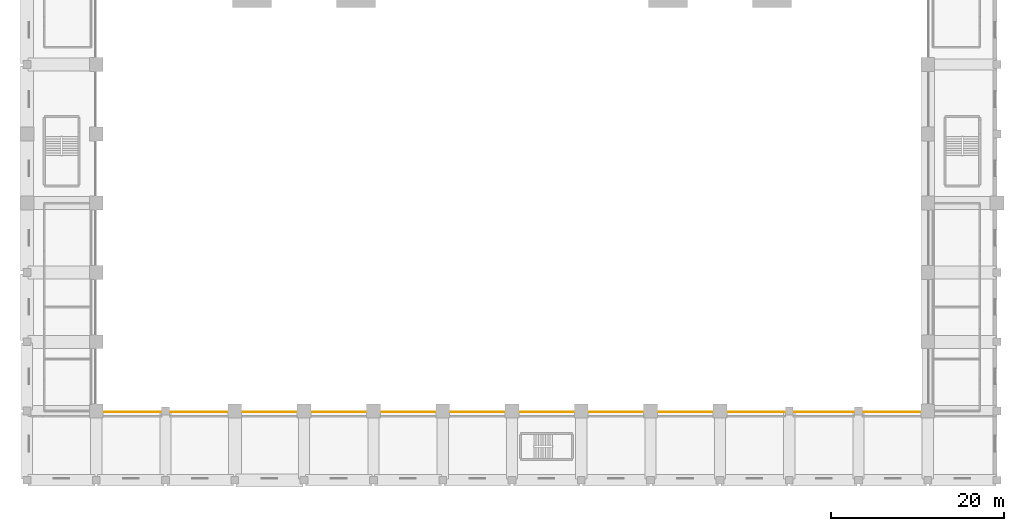
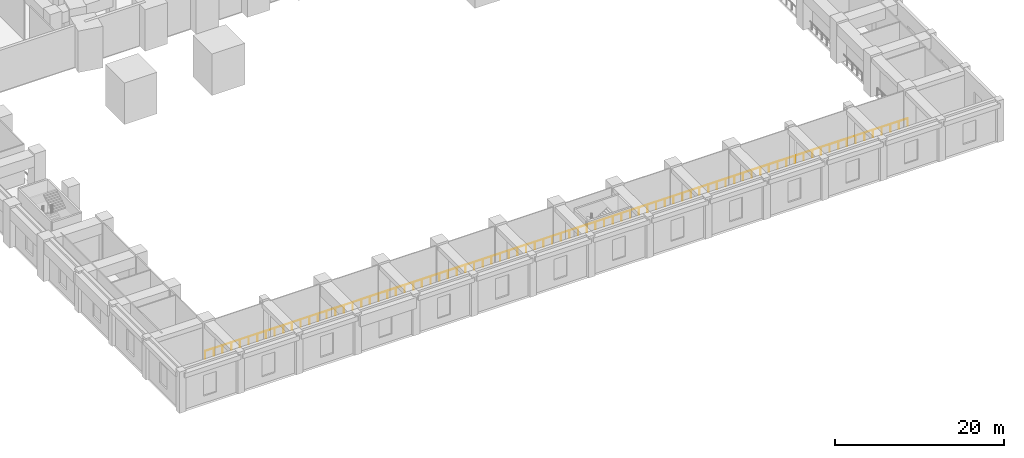
# One storey, part 17 of 25: 1 railing.
"""IFC4 building model written with IfcOpenShell, lengths in metres."""

from ifc_helpers import new_model, si_unit, direction, frame, origin, origin_2d, place, context, subcontext, project, spatial, circle, extrude, material, type_object, element, save


model = new_model("IFC4")

# Units and contexts
model_context = context("Model", 3, precision=1e-05, world=origin(), true_north=direction((0.0, 1.0)))
body_context = subcontext(model_context, "Body", "Model", "MODEL_VIEW")
ifc_project = project(units=[si_unit("LENGTHUNIT", "METRE"), si_unit("AREAUNIT", "SQUARE_METRE"), si_unit("VOLUMEUNIT", "CUBIC_METRE"), si_unit("PLANEANGLEUNIT", "RADIAN"), si_unit("MASSUNIT", "GRAM", prefix="KILO")], contexts=[model_context])

# Site, building, storey
site_placement = place(None, origin())
site = spatial("IfcSite", under=ifc_project, at=site_placement, CompositionType="ELEMENT")
building_placement = place(site_placement, origin())
building = spatial("IfcBuilding", under=site, at=building_placement, Name="Isbrekke Arena Tower", CompositionType="ELEMENT")
storey_placement = place(building_placement, frame((0.0, 0.0, 6.0)))
storey = spatial("IfcBuildingStorey", under=building, at=storey_placement, Name="L01", CompositionType="ELEMENT", Elevation=6.0)

# Railing
ifc_material = material(Name="Laminated glass balustrade, steel handrail", Category="steel")
railing_type = type_object("IfcRailingType", Name="GR1 GUARD 1100 GLASS BALUSTRADE", PredefinedType="BALUSTRADE", material=ifc_material)
railing_placement = place(storey_placement, frame((48.10009765625, -66.10009765625, 0.0)))
element("IfcRailing", 1, at=railing_placement, inside=storey, type_object=railing_type, Name="GR1 arena front guard S L01", PredefinedType="BALUSTRADE", context=body_context, shape_type="SweptSolid", body=[
    extrude(circle(Radius=0.02392578125, at=origin_2d()), frame((0.0, 0.0, 1.076171875), z_axis=(-1.0, 0.0, 0.0), x_axis=(0.0, -1.0, 0.0)), (0.0, 0.0, 1.0), 96.2001953125),
    extrude(circle(Radius=0.02099609375, at=origin_2d()), origin(), (0.0, 0.0, 1.0), 1.052001953125),
    extrude(circle(Radius=0.02099609375, at=origin_2d()), frame((-1.187744140625, 0.0, 0.0)), (0.0, 0.0, 1.0), 1.052001953125),
    extrude(circle(Radius=0.02099609375, at=origin_2d()), frame((-2.375244140625, 0.0, 0.0)), (0.0, 0.0, 1.0), 1.052001953125),
    extrude(circle(Radius=0.02099609375, at=origin_2d()), frame((-3.56298828125, 0.0, 0.0)), (0.0, 0.0, 1.0), 1.052001953125),
    extrude(circle(Radius=0.02099609375, at=origin_2d()), frame((-4.750732421875, 0.0, 0.0)), (0.0, 0.0, 1.0), 1.052001953125),
    extrude(circle(Radius=0.02099609375, at=origin_2d()), frame((-5.938232421875, 0.0, 0.0)), (0.0, 0.0, 1.0), 1.052001953125),
    extrude(circle(Radius=0.02099609375, at=origin_2d()), frame((-7.1259765625, 0.0, 0.0)), (0.0, 0.0, 1.0), 1.052001953125),
    extrude(circle(Radius=0.02099609375, at=origin_2d()), frame((-8.3134765625, 0.0, 0.0)), (0.0, 0.0, 1.0), 1.052001953125),
    extrude(circle(Radius=0.02099609375, at=origin_2d()), frame((-9.501220703125, 0.0, 0.0)), (0.0, 0.0, 1.0), 1.052001953125),
    extrude(circle(Radius=0.02099609375, at=origin_2d()), frame((-10.68896484375, 0.0, 0.0)), (0.0, 0.0, 1.0), 1.052001953125),
    extrude(circle(Radius=0.02099609375, at=origin_2d()), frame((-11.87646484375, 0.0, 0.0)), (0.0, 0.0, 1.0), 1.052001953125),
    extrude(circle(Radius=0.02099609375, at=origin_2d()), frame((-13.064208984375, 0.0, 0.0)), (0.0, 0.0, 1.0), 1.052001953125),
    extrude(circle(Radius=0.02099609375, at=origin_2d()), frame((-14.251953125, 0.0, 0.0)), (0.0, 0.0, 1.0), 1.052001953125),
    extrude(circle(Radius=0.02099609375, at=origin_2d()), frame((-15.439453125, 0.0, 0.0)), (0.0, 0.0, 1.0), 1.052001953125),
    extrude(circle(Radius=0.02099609375, at=origin_2d()), frame((-16.627197265625, 0.0, 0.0)), (0.0, 0.0, 1.0), 1.052001953125),
    extrude(circle(Radius=0.02099609375, at=origin_2d()), frame((-17.81494140625, 0.0, 0.0)), (0.0, 0.0, 1.0), 1.052001953125),
    extrude(circle(Radius=0.02099609375, at=origin_2d()), frame((-19.00244140625, 0.0, 0.0)), (0.0, 0.0, 1.0), 1.052001953125),
    extrude(circle(Radius=0.02099609375, at=origin_2d()), frame((-20.190185546875, 0.0, 0.0)), (0.0, 0.0, 1.0), 1.052001953125),
    extrude(circle(Radius=0.02099609375, at=origin_2d()), frame((-21.3779296875, 0.0, 0.0)), (0.0, 0.0, 1.0), 1.052001953125),
    extrude(circle(Radius=0.02099609375, at=origin_2d()), frame((-22.5654296875, 0.0, 0.0)), (0.0, 0.0, 1.0), 1.052001953125),
    extrude(circle(Radius=0.02099609375, at=origin_2d()), frame((-23.753173828125, 0.0, 0.0)), (0.0, 0.0, 1.0), 1.052001953125),
    extrude(circle(Radius=0.02099609375, at=origin_2d()), frame((-24.940673828125, 0.0, 0.0)), (0.0, 0.0, 1.0), 1.052001953125),
    extrude(circle(Radius=0.02099609375, at=origin_2d()), frame((-26.12841796875, 0.0, 0.0)), (0.0, 0.0, 1.0), 1.052001953125),
    extrude(circle(Radius=0.02099609375, at=origin_2d()), frame((-27.316162109375, 0.0, 0.0)), (0.0, 0.0, 1.0), 1.052001953125),
    extrude(circle(Radius=0.02099609375, at=origin_2d()), frame((-28.503662109375, 0.0, 0.0)), (0.0, 0.0, 1.0), 1.052001953125),
    extrude(circle(Radius=0.02099609375, at=origin_2d()), frame((-29.69140625, 0.0, 0.0)), (0.0, 0.0, 1.0), 1.052001953125),
    extrude(circle(Radius=0.02099609375, at=origin_2d()), frame((-30.879150390625, 0.0, 0.0)), (0.0, 0.0, 1.0), 1.052001953125),
    extrude(circle(Radius=0.02099609375, at=origin_2d()), frame((-32.066650390625, 0.0, 0.0)), (0.0, 0.0, 1.0), 1.052001953125),
    extrude(circle(Radius=0.02099609375, at=origin_2d()), frame((-33.25439453125, 0.0, 0.0)), (0.0, 0.0, 1.0), 1.052001953125),
    extrude(circle(Radius=0.02099609375, at=origin_2d()), frame((-34.442138671875, 0.0, 0.0)), (0.0, 0.0, 1.0), 1.052001953125),
    extrude(circle(Radius=0.02099609375, at=origin_2d()), frame((-35.629638671875, 0.0, 0.0)), (0.0, 0.0, 1.0), 1.052001953125),
    extrude(circle(Radius=0.02099609375, at=origin_2d()), frame((-36.8173828125, 0.0, 0.0)), (0.0, 0.0, 1.0), 1.052001953125),
    extrude(circle(Radius=0.02099609375, at=origin_2d()), frame((-38.005126953125, 0.0, 0.0)), (0.0, 0.0, 1.0), 1.052001953125),
    extrude(circle(Radius=0.02099609375, at=origin_2d()), frame((-39.192626953125, 0.0, 0.0)), (0.0, 0.0, 1.0), 1.052001953125),
    extrude(circle(Radius=0.02099609375, at=origin_2d()), frame((-40.38037109375, 0.0, 0.0)), (0.0, 0.0, 1.0), 1.052001953125),
    extrude(circle(Radius=0.02099609375, at=origin_2d()), frame((-41.56787109375, 0.0, 0.0)), (0.0, 0.0, 1.0), 1.052001953125),
    extrude(circle(Radius=0.02099609375, at=origin_2d()), frame((-42.755615234375, 0.0, 0.0)), (0.0, 0.0, 1.0), 1.052001953125),
    extrude(circle(Radius=0.02099609375, at=origin_2d()), frame((-43.943359375, 0.0, 0.0)), (0.0, 0.0, 1.0), 1.052001953125),
    extrude(circle(Radius=0.02099609375, at=origin_2d()), frame((-45.130859375, 0.0, 0.0)), (0.0, 0.0, 1.0), 1.052001953125),
    extrude(circle(Radius=0.02099609375, at=origin_2d()), frame((-46.318603515625, 0.0, 0.0)), (0.0, 0.0, 1.0), 1.052001953125),
    extrude(circle(Radius=0.02099609375, at=origin_2d()), frame((-47.50634765625, 0.0, 0.0)), (0.0, 0.0, 1.0), 1.052001953125),
    extrude(circle(Radius=0.02099609375, at=origin_2d()), frame((-48.69384765625, 0.0, 0.0)), (0.0, 0.0, 1.0), 1.052001953125),
    extrude(circle(Radius=0.02099609375, at=origin_2d()), frame((-49.881591796875, 0.0, 0.0)), (0.0, 0.0, 1.0), 1.052001953125),
    extrude(circle(Radius=0.02099609375, at=origin_2d()), frame((-51.0693359375, 0.0, 0.0)), (0.0, 0.0, 1.0), 1.052001953125),
    extrude(circle(Radius=0.02099609375, at=origin_2d()), frame((-52.2568359375, 0.0, 0.0)), (0.0, 0.0, 1.0), 1.052001953125),
    extrude(circle(Radius=0.02099609375, at=origin_2d()), frame((-53.444580078125, 0.0, 0.0)), (0.0, 0.0, 1.0), 1.052001953125),
    extrude(circle(Radius=0.02099609375, at=origin_2d()), frame((-54.63232421875, 0.0, 0.0)), (0.0, 0.0, 1.0), 1.052001953125),
    extrude(circle(Radius=0.02099609375, at=origin_2d()), frame((-55.81982421875, 0.0, 0.0)), (0.0, 0.0, 1.0), 1.052001953125),
    extrude(circle(Radius=0.02099609375, at=origin_2d()), frame((-57.007568359375, 0.0, 0.0)), (0.0, 0.0, 1.0), 1.052001953125),
    extrude(circle(Radius=0.02099609375, at=origin_2d()), frame((-58.195068359375, 0.0, 0.0)), (0.0, 0.0, 1.0), 1.052001953125),
    extrude(circle(Radius=0.02099609375, at=origin_2d()), frame((-59.3828125, 0.0, 0.0)), (0.0, 0.0, 1.0), 1.052001953125),
    extrude(circle(Radius=0.02099609375, at=origin_2d()), frame((-60.570556640625, 0.0, 0.0)), (0.0, 0.0, 1.0), 1.052001953125),
    extrude(circle(Radius=0.02099609375, at=origin_2d()), frame((-61.758056640625, 0.0, 0.0)), (0.0, 0.0, 1.0), 1.052001953125),
    extrude(circle(Radius=0.02099609375, at=origin_2d()), frame((-62.94580078125, 0.0, 0.0)), (0.0, 0.0, 1.0), 1.052001953125),
    extrude(circle(Radius=0.02099609375, at=origin_2d()), frame((-64.133544921875, 0.0, 0.0)), (0.0, 0.0, 1.0), 1.052001953125),
    extrude(circle(Radius=0.02099609375, at=origin_2d()), frame((-65.321044921875, 0.0, 0.0)), (0.0, 0.0, 1.0), 1.052001953125),
    extrude(circle(Radius=0.02099609375, at=origin_2d()), frame((-66.5087890625, 0.0, 0.0)), (0.0, 0.0, 1.0), 1.052001953125),
    extrude(circle(Radius=0.02099609375, at=origin_2d()), frame((-67.696533203125, 0.0, 0.0)), (0.0, 0.0, 1.0), 1.052001953125),
    extrude(circle(Radius=0.02099609375, at=origin_2d()), frame((-68.884033203125, 0.0, 0.0)), (0.0, 0.0, 1.0), 1.052001953125),
    extrude(circle(Radius=0.02099609375, at=origin_2d()), frame((-70.07177734375, 0.0, 0.0)), (0.0, 0.0, 1.0), 1.052001953125),
    extrude(circle(Radius=0.02099609375, at=origin_2d()), frame((-71.259521484375, 0.0, 0.0)), (0.0, 0.0, 1.0), 1.052001953125),
    extrude(circle(Radius=0.02099609375, at=origin_2d()), frame((-72.447021484375, 0.0, 0.0)), (0.0, 0.0, 1.0), 1.052001953125),
    extrude(circle(Radius=0.02099609375, at=origin_2d()), frame((-73.634765625, 0.0, 0.0)), (0.0, 0.0, 1.0), 1.052001953125),
    extrude(circle(Radius=0.02099609375, at=origin_2d()), frame((-74.822265625, 0.0, 0.0)), (0.0, 0.0, 1.0), 1.052001953125),
    extrude(circle(Radius=0.02099609375, at=origin_2d()), frame((-76.010009765625, 0.0, 0.0)), (0.0, 0.0, 1.0), 1.052001953125),
    extrude(circle(Radius=0.02099609375, at=origin_2d()), frame((-77.19775390625, 0.0, 0.0)), (0.0, 0.0, 1.0), 1.052001953125),
    extrude(circle(Radius=0.02099609375, at=origin_2d()), frame((-78.38525390625, 0.0, 0.0)), (0.0, 0.0, 1.0), 1.052001953125),
    extrude(circle(Radius=0.02099609375, at=origin_2d()), frame((-79.572998046875, 0.0, 0.0)), (0.0, 0.0, 1.0), 1.052001953125),
    extrude(circle(Radius=0.02099609375, at=origin_2d()), frame((-80.7607421875, 0.0, 0.0)), (0.0, 0.0, 1.0), 1.052001953125),
    extrude(circle(Radius=0.02099609375, at=origin_2d()), frame((-81.9482421875, 0.0, 0.0)), (0.0, 0.0, 1.0), 1.052001953125),
    extrude(circle(Radius=0.02099609375, at=origin_2d()), frame((-83.135986328125, 0.0, 0.0)), (0.0, 0.0, 1.0), 1.052001953125),
    extrude(circle(Radius=0.02099609375, at=origin_2d()), frame((-84.32373046875, 0.0, 0.0)), (0.0, 0.0, 1.0), 1.052001953125),
    extrude(circle(Radius=0.02099609375, at=origin_2d()), frame((-85.51123046875, 0.0, 0.0)), (0.0, 0.0, 1.0), 1.052001953125),
    extrude(circle(Radius=0.02099609375, at=origin_2d()), frame((-86.698974609375, 0.0, 0.0)), (0.0, 0.0, 1.0), 1.052001953125),
    extrude(circle(Radius=0.02099609375, at=origin_2d()), frame((-87.88671875, 0.0, 0.0)), (0.0, 0.0, 1.0), 1.052001953125),
    extrude(circle(Radius=0.02099609375, at=origin_2d()), frame((-89.07421875, 0.0, 0.0)), (0.0, 0.0, 1.0), 1.052001953125),
    extrude(circle(Radius=0.02099609375, at=origin_2d()), frame((-90.261962890625, 0.0, 0.0)), (0.0, 0.0, 1.0), 1.052001953125),
    extrude(circle(Radius=0.02099609375, at=origin_2d()), frame((-91.449462890625, 0.0, 0.0)), (0.0, 0.0, 1.0), 1.052001953125),
    extrude(circle(Radius=0.02099609375, at=origin_2d()), frame((-92.63720703125, 0.0, 0.0)), (0.0, 0.0, 1.0), 1.052001953125),
    extrude(circle(Radius=0.02099609375, at=origin_2d()), frame((-93.824951171875, 0.0, 0.0)), (0.0, 0.0, 1.0), 1.052001953125),
    extrude(circle(Radius=0.02099609375, at=origin_2d()), frame((-95.012451171875, 0.0, 0.0)), (0.0, 0.0, 1.0), 1.052001953125),
    extrude(circle(Radius=0.02099609375, at=origin_2d()), frame((-96.2001953125, 0.0, 0.0)), (0.0, 0.0, 1.0), 1.052001953125),
])

save(model, "model.ifc")
